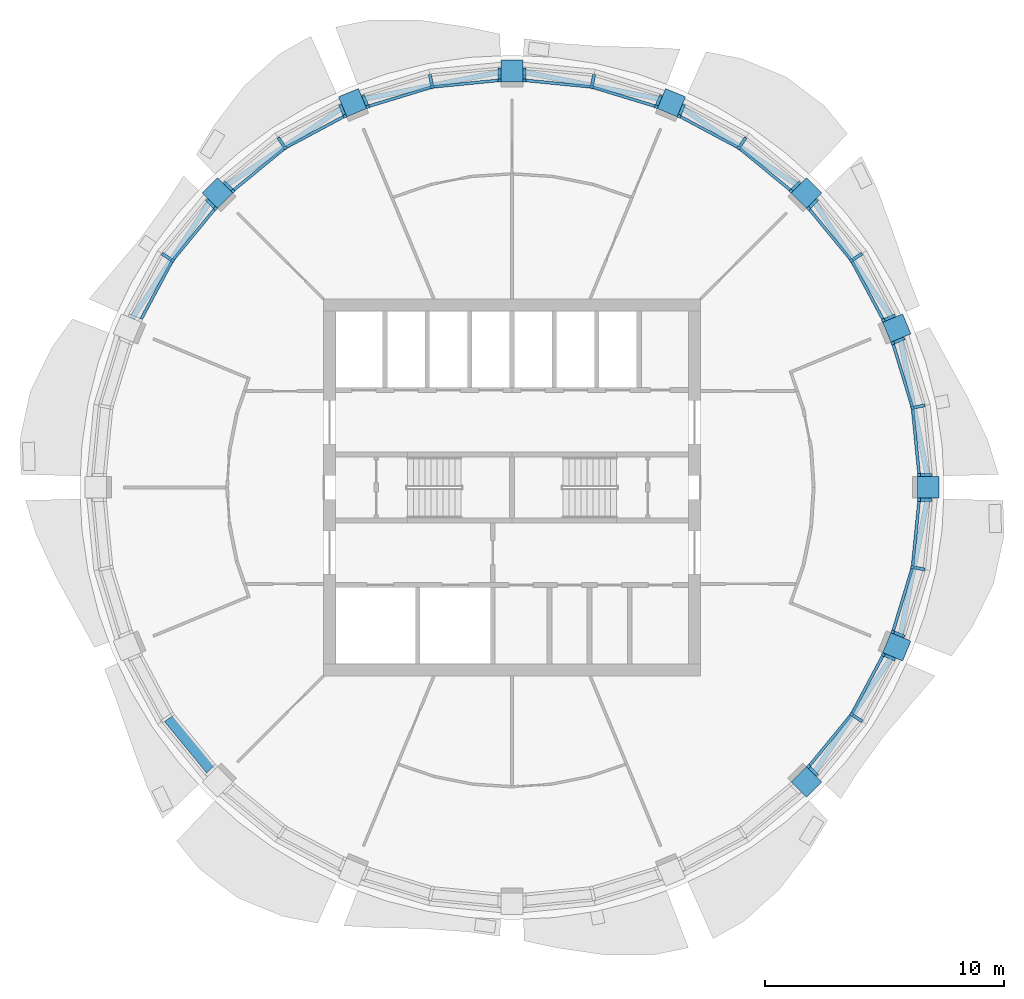
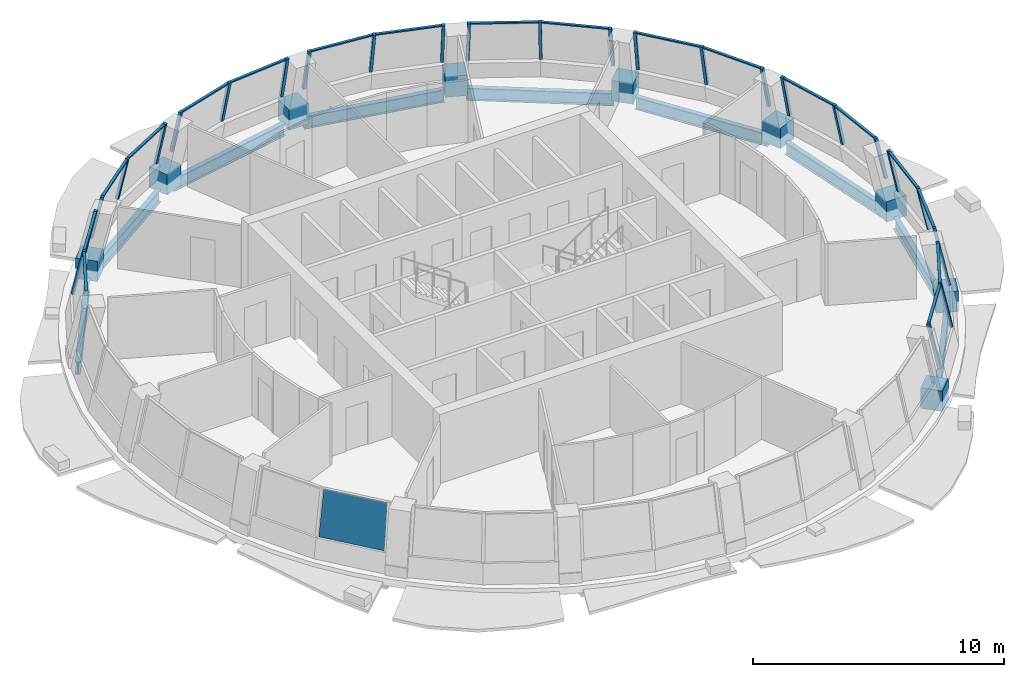
# One storey, part 2 of 11: 53 members, 9 beams, 1 plate, 10 elements without a shape of their own.
"""IFC4 building model written with IfcOpenShell, lengths in metres."""

from ifc_helpers import new_model, si_unit, direction, frame, origin, origin_2d, place, context, subcontext, project, spatial, polyline, rectangle, i_section, outline, extrude, material, layer, layer_set, material_profile, profile_set, type_object, element, aggregate, save


model = new_model("IFC4")

# Units and contexts
model_context = context("Model", 3, precision=1e-05, world=origin(), true_north=direction((0.0, 1.0)))
body_context = subcontext(model_context, "Body", "Model", "MODEL_VIEW")
ifc_project = project(units=[si_unit("LENGTHUNIT", "METRE"), si_unit("AREAUNIT", "SQUARE_METRE"), si_unit("VOLUMEUNIT", "CUBIC_METRE"), si_unit("PLANEANGLEUNIT", "RADIAN"), si_unit("MASSUNIT", "GRAM", prefix="KILO")], contexts=[model_context])

# Site, building, storey
site_placement = place(None, origin())
site = spatial("IfcSite", under=ifc_project, at=site_placement, CompositionType="ELEMENT")
building_placement = place(site_placement, origin())
building = spatial("IfcBuilding", under=site, at=building_placement, Name="Polderwave Tower", CompositionType="ELEMENT")
storey_placement = place(building_placement, frame((0.0, 0.0, 194.35009765625)))
storey = spatial("IfcBuildingStorey", under=building, at=storey_placement, Name="L52", CompositionType="ELEMENT", Elevation=194.35009765625)

# Curtain wall, members
ifc_material_1 = material(Name="Aluminium 6063-T6 and glass", Category="aluminium")
curtain_wall_type = type_object("IfcCurtainWallType", Name="Office ribbon glazing, leaning storey wall", PredefinedType="NOTDEFINED", material=ifc_material_1)
curtain_wall_1_placement = place(storey_placement, origin())
curtain_wall_1 = element("IfcCurtainWall", 1, at=curtain_wall_1_placement, inside=storey, type_object=curtain_wall_type, Name="CW9 L52 00", PredefinedType="NOTDEFINED")
ifc_material_2 = material(Name="Aluminium 6063-T6", Category="aluminium")
ifc_material_profile_1 = material_profile(ifc_material_2, rectangle(XDim=0.1298828125, YDim=0.139892578125, at=origin_2d()), Name="AL 130x140")
ifc_profile_set_1 = profile_set([ifc_material_profile_1], Name="Aluminium 6063-T6")
member_type_1 = type_object("IfcMemberType", Name="Office ribbon glazing, leaning storey mullion 130x140", PredefinedType="MULLION", material=ifc_profile_set_1)
member_1_placement = place(storey_placement, frame((17.4580078125, 0.5146484375, 0.89990234375), z_axis=(-0.213297172308, 0.0, 0.976987367516), x_axis=(0.0, -1.0, 0.0)))
member_1 = element("IfcMember", 2, at=member_1_placement, type_object=member_type_1, Name="CW9 mullion 1", PredefinedType="MULLION", context=body_context, shape_type="SweptSolid", body=[
    extrude(rectangle(XDim=0.1298828125, YDim=0.139892578125, at=origin_2d()), origin(), (0.0, 0.0, 1.0), 2.149658203125),
])
member_2_placement = place(storey_placement, frame((17.172119140625, 3.41552734375, 0.89990234375), z_axis=(-0.20942456595, -0.04168048574, 0.976936071749), x_axis=(0.195195508177, -0.980764351711, 0.0)))
member_2 = element("IfcMember", 3, at=member_2_placement, type_object=member_type_1, Name="CW9 mullion 2", PredefinedType="MULLION", context=body_context, shape_type="SweptSolid", body=[
    extrude(rectangle(XDim=0.1298828125, YDim=0.139892578125, at=origin_2d()), origin(), (0.0, 0.0, 1.0), 2.149658203125),
])
member_3_placement = place(storey_placement, frame((16.325439453125, 6.20556640625, 0.89990234375), z_axis=(-0.197053481596, -0.081774355475, 0.97697639694), x_axis=(0.383291989612, -0.923627224967, 0.0)))
member_3 = element("IfcMember", 4, at=member_3_placement, type_object=member_type_1, Name="CW9 mullion 3", PredefinedType="MULLION", context=body_context, shape_type="SweptSolid", body=[
    extrude(rectangle(XDim=0.1298828125, YDim=0.139892578125, at=origin_2d()), origin(), (0.0, 0.0, 1.0), 2.149658203125),
])

curtain_wall_2_placement = place(storey_placement, origin())
curtain_wall_2 = element("IfcCurtainWall", 5, at=curtain_wall_2_placement, inside=storey, type_object=curtain_wall_type, Name="CW9 L52 01", PredefinedType="NOTDEFINED")
member_4_placement = place(storey_placement, frame((15.931884765625, 7.15625, 0.89990234375), z_axis=(-0.197058960826, -0.081435893321, 0.977003562551), x_axis=(0.381928316135, -0.924191950481, 0.0)))
member_4 = element("IfcMember", 6, at=member_4_placement, type_object=member_type_1, Name="CW9 mullion 1", PredefinedType="MULLION", context=body_context, shape_type="SweptSolid", body=[
    extrude(rectangle(XDim=0.1298828125, YDim=0.139892578125, at=origin_2d()), origin(), (0.0, 0.0, 1.0), 2.1494140625),
])
member_5_placement = place(storey_placement, frame((14.557861328125, 9.726806640625, 0.89990234375), z_axis=(-0.177183585901, -0.118576707487, 0.977008465331), x_axis=(0.556174588481, -0.83106547704, 0.0)))
member_5 = element("IfcMember", 7, at=member_5_placement, type_object=member_type_1, Name="CW9 mullion 2", PredefinedType="MULLION", context=body_context, shape_type="SweptSolid", body=[
    extrude(rectangle(XDim=0.1298828125, YDim=0.139892578125, at=origin_2d()), origin(), (0.0, 0.0, 1.0), 2.1494140625),
])
member_6_placement = place(storey_placement, frame((12.708251953125, 11.98095703125, 0.89990234375), z_axis=(-0.150718677446, -0.150832255952, 0.97700230851), x_axis=(0.707373061249, -0.706840400811, 0.0)))
member_6 = element("IfcMember", 8, at=member_6_placement, type_object=member_type_1, Name="CW9 mullion 3", PredefinedType="MULLION", context=body_context, shape_type="SweptSolid", body=[
    extrude(rectangle(XDim=0.1298828125, YDim=0.139892578125, at=origin_2d()), origin(), (0.0, 0.0, 1.0), 2.1494140625),
])

curtain_wall_3_placement = place(storey_placement, origin())
curtain_wall_3 = element("IfcCurtainWall", 9, at=curtain_wall_3_placement, inside=storey, type_object=curtain_wall_type, Name="CW9 L52 02", PredefinedType="NOTDEFINED")
member_7_placement = place(storey_placement, frame((11.98095703125, 12.708251953125, 0.89990234375), z_axis=(-0.150832255952, -0.150718677446, 0.97700230851), x_axis=(0.706840400811, -0.707373061249, 0.0)))
member_7 = element("IfcMember", 10, at=member_7_placement, type_object=member_type_1, Name="CW9 mullion 1", PredefinedType="MULLION", context=body_context, shape_type="SweptSolid", body=[
    extrude(rectangle(XDim=0.1298828125, YDim=0.139892578125, at=origin_2d()), origin(), (0.0, 0.0, 1.0), 2.1494140625),
])
member_8_placement = place(storey_placement, frame((9.726806640625, 14.557861328125, 0.89990234375), z_axis=(-0.118576707487, -0.177183585901, 0.977008465331), x_axis=(0.83106547704, -0.556174588481, 0.0)))
member_8 = element("IfcMember", 11, at=member_8_placement, type_object=member_type_1, Name="CW9 mullion 2", PredefinedType="MULLION", context=body_context, shape_type="SweptSolid", body=[
    extrude(rectangle(XDim=0.1298828125, YDim=0.139892578125, at=origin_2d()), origin(), (0.0, 0.0, 1.0), 2.1494140625),
])
member_9_placement = place(storey_placement, frame((7.15625, 15.931884765625, 0.89990234375), z_axis=(-0.081435893321, -0.197058960826, 0.977003562551), x_axis=(0.924191950481, -0.381928316135, 0.0)))
member_9 = element("IfcMember", 12, at=member_9_placement, type_object=member_type_1, Name="CW9 mullion 3", PredefinedType="MULLION", context=body_context, shape_type="SweptSolid", body=[
    extrude(rectangle(XDim=0.1298828125, YDim=0.139892578125, at=origin_2d()), origin(), (0.0, 0.0, 1.0), 2.1494140625),
])

curtain_wall_4_placement = place(storey_placement, origin())
curtain_wall_4 = element("IfcCurtainWall", 13, at=curtain_wall_4_placement, inside=storey, type_object=curtain_wall_type, Name="CW9 L52 03", PredefinedType="NOTDEFINED")
member_10_placement = place(storey_placement, frame((6.20556640625, 16.325439453125, 0.89990234375), z_axis=(-0.081774355475, -0.197053481596, 0.97697639694), x_axis=(0.923627224967, -0.383291989612, 0.0)))
member_10 = element("IfcMember", 14, at=member_10_placement, type_object=member_type_1, Name="CW9 mullion 1", PredefinedType="MULLION", context=body_context, shape_type="SweptSolid", body=[
    extrude(rectangle(XDim=0.1298828125, YDim=0.139892578125, at=origin_2d()), origin(), (0.0, 0.0, 1.0), 2.149658203125),
])
member_11_placement = place(storey_placement, frame((3.41552734375, 17.172119140625, 0.89990234375), z_axis=(-0.04168048574, -0.20942456595, 0.976936071749), x_axis=(0.980764351711, -0.195195508177, 0.0)))
member_11 = element("IfcMember", 15, at=member_11_placement, type_object=member_type_1, Name="CW9 mullion 2", PredefinedType="MULLION", context=body_context, shape_type="SweptSolid", body=[
    extrude(rectangle(XDim=0.1298828125, YDim=0.139892578125, at=origin_2d()), origin(), (0.0, 0.0, 1.0), 2.149658203125),
])
member_12_placement = place(storey_placement, frame((0.5146484375, 17.4580078125, 0.89990234375), z_axis=(0.0, -0.213297172308, 0.976987367516), x_axis=(1.0, 0.0, 0.0)))
member_12 = element("IfcMember", 16, at=member_12_placement, type_object=member_type_1, Name="CW9 mullion 3", PredefinedType="MULLION", context=body_context, shape_type="SweptSolid", body=[
    extrude(rectangle(XDim=0.1298828125, YDim=0.139892578125, at=origin_2d()), origin(), (0.0, 0.0, 1.0), 2.149658203125),
])

curtain_wall_5_placement = place(storey_placement, origin())
curtain_wall_5 = element("IfcCurtainWall", 17, at=curtain_wall_5_placement, inside=storey, type_object=curtain_wall_type, Name="CW9 L52 04", PredefinedType="NOTDEFINED")
member_13_placement = place(storey_placement, frame((-0.5146484375, 17.4580078125, 0.89990234375), z_axis=(0.0, -0.213297172308, 0.976987367516), x_axis=(1.0, 0.0, 0.0)))
member_13 = element("IfcMember", 18, at=member_13_placement, type_object=member_type_1, Name="CW9 mullion 1", PredefinedType="MULLION", context=body_context, shape_type="SweptSolid", body=[
    extrude(rectangle(XDim=0.1298828125, YDim=0.139892578125, at=origin_2d()), origin(), (0.0, 0.0, 1.0), 2.149658203125),
])
member_14_placement = place(storey_placement, frame((-3.41552734375, 17.172119140625, 0.89990234375), z_axis=(0.04168048574, -0.20942456595, 0.976936071749), x_axis=(0.980764351711, 0.195195508177, 0.0)))
member_14 = element("IfcMember", 19, at=member_14_placement, type_object=member_type_1, Name="CW9 mullion 2", PredefinedType="MULLION", context=body_context, shape_type="SweptSolid", body=[
    extrude(rectangle(XDim=0.1298828125, YDim=0.139892578125, at=origin_2d()), origin(), (0.0, 0.0, 1.0), 2.149658203125),
])
member_15_placement = place(storey_placement, frame((-6.20556640625, 16.325439453125, 0.89990234375), z_axis=(0.081774355475, -0.197053481596, 0.97697639694), x_axis=(0.923627224967, 0.383291989612, 0.0)))
member_15 = element("IfcMember", 20, at=member_15_placement, type_object=member_type_1, Name="CW9 mullion 3", PredefinedType="MULLION", context=body_context, shape_type="SweptSolid", body=[
    extrude(rectangle(XDim=0.1298828125, YDim=0.139892578125, at=origin_2d()), origin(), (0.0, 0.0, 1.0), 2.149658203125),
])

curtain_wall_6_placement = place(storey_placement, origin())
curtain_wall_6 = element("IfcCurtainWall", 21, at=curtain_wall_6_placement, inside=storey, type_object=curtain_wall_type, Name="CW9 L52 05", PredefinedType="NOTDEFINED")
member_16_placement = place(storey_placement, frame((-7.15625, 15.931884765625, 0.89990234375), z_axis=(0.081435893321, -0.197058960826, 0.977003562551), x_axis=(0.924191950481, 0.381928316135, 0.0)))
member_16 = element("IfcMember", 22, at=member_16_placement, type_object=member_type_1, Name="CW9 mullion 1", PredefinedType="MULLION", context=body_context, shape_type="SweptSolid", body=[
    extrude(rectangle(XDim=0.1298828125, YDim=0.139892578125, at=origin_2d()), origin(), (0.0, 0.0, 1.0), 2.1494140625),
])
member_17_placement = place(storey_placement, frame((-9.726806640625, 14.557861328125, 0.89990234375), z_axis=(0.118576707487, -0.177183585901, 0.977008465331), x_axis=(0.83106547704, 0.556174588481, 0.0)))
member_17 = element("IfcMember", 23, at=member_17_placement, type_object=member_type_1, Name="CW9 mullion 2", PredefinedType="MULLION", context=body_context, shape_type="SweptSolid", body=[
    extrude(rectangle(XDim=0.1298828125, YDim=0.139892578125, at=origin_2d()), origin(), (0.0, 0.0, 1.0), 2.1494140625),
])
member_18_placement = place(storey_placement, frame((-11.98095703125, 12.708251953125, 0.89990234375), z_axis=(0.150832255952, -0.150718677446, 0.97700230851), x_axis=(0.706840400811, 0.707373061249, 0.0)))
member_18 = element("IfcMember", 24, at=member_18_placement, type_object=member_type_1, Name="CW9 mullion 3", PredefinedType="MULLION", context=body_context, shape_type="SweptSolid", body=[
    extrude(rectangle(XDim=0.1298828125, YDim=0.139892578125, at=origin_2d()), origin(), (0.0, 0.0, 1.0), 2.1494140625),
])

curtain_wall_7_placement = place(storey_placement, origin())
curtain_wall_7 = element("IfcCurtainWall", 25, at=curtain_wall_7_placement, inside=storey, type_object=curtain_wall_type, Name="CW9 L52 06", PredefinedType="NOTDEFINED")
member_19_placement = place(storey_placement, frame((-12.708251953125, 11.98095703125, 0.89990234375), z_axis=(0.150718677446, -0.150832255952, 0.97700230851), x_axis=(0.707373061249, 0.706840400811, 0.0)))
member_19 = element("IfcMember", 26, at=member_19_placement, type_object=member_type_1, Name="CW9 mullion 1", PredefinedType="MULLION", context=body_context, shape_type="SweptSolid", body=[
    extrude(rectangle(XDim=0.1298828125, YDim=0.139892578125, at=origin_2d()), origin(), (0.0, 0.0, 1.0), 2.1494140625),
])
member_20_placement = place(storey_placement, frame((-14.557861328125, 9.726806640625, 0.89990234375), z_axis=(0.177183585901, -0.118576707487, 0.977008465331), x_axis=(0.556174588481, 0.83106547704, 0.0)))
member_20 = element("IfcMember", 27, at=member_20_placement, type_object=member_type_1, Name="CW9 mullion 2", PredefinedType="MULLION", context=body_context, shape_type="SweptSolid", body=[
    extrude(rectangle(XDim=0.1298828125, YDim=0.139892578125, at=origin_2d()), origin(), (0.0, 0.0, 1.0), 2.1494140625),
])

curtain_wall_8_placement = place(storey_placement, origin())
curtain_wall_8 = element("IfcCurtainWall", 28, at=curtain_wall_8_placement, inside=storey, type_object=curtain_wall_type, Name="CW9 L52 14", PredefinedType="NOTDEFINED")
member_21_placement = place(storey_placement, frame((12.708251953125, -11.98095703125, 0.89990234375), z_axis=(-0.150718677446, 0.150832255952, 0.97700230851), x_axis=(-0.707373061249, -0.706840400811, 0.0)))
member_21 = element("IfcMember", 29, at=member_21_placement, type_object=member_type_1, Name="CW9 mullion 1", PredefinedType="MULLION", context=body_context, shape_type="SweptSolid", body=[
    extrude(rectangle(XDim=0.1298828125, YDim=0.139892578125, at=origin_2d()), origin(), (0.0, 0.0, 1.0), 2.1494140625),
])
member_22_placement = place(storey_placement, frame((14.557861328125, -9.726806640625, 0.89990234375), z_axis=(-0.177183585901, 0.118576707487, 0.977008465331), x_axis=(-0.556174588481, -0.83106547704, 0.0)))
member_22 = element("IfcMember", 30, at=member_22_placement, type_object=member_type_1, Name="CW9 mullion 2", PredefinedType="MULLION", context=body_context, shape_type="SweptSolid", body=[
    extrude(rectangle(XDim=0.1298828125, YDim=0.139892578125, at=origin_2d()), origin(), (0.0, 0.0, 1.0), 2.1494140625),
])
member_23_placement = place(storey_placement, frame((15.931884765625, -7.15625, 0.89990234375), z_axis=(-0.197058960826, 0.081435893321, 0.977003562551), x_axis=(-0.381928316135, -0.924191950481, 0.0)))
member_23 = element("IfcMember", 31, at=member_23_placement, type_object=member_type_1, Name="CW9 mullion 3", PredefinedType="MULLION", context=body_context, shape_type="SweptSolid", body=[
    extrude(rectangle(XDim=0.1298828125, YDim=0.139892578125, at=origin_2d()), origin(), (0.0, 0.0, 1.0), 2.1494140625),
])

curtain_wall_9_placement = place(storey_placement, origin())
curtain_wall_9 = element("IfcCurtainWall", 32, at=curtain_wall_9_placement, inside=storey, type_object=curtain_wall_type, Name="CW9 L52 15", PredefinedType="NOTDEFINED")
member_24_placement = place(storey_placement, frame((16.325439453125, -6.20556640625, 0.89990234375), z_axis=(-0.197053481596, 0.081774355475, 0.97697639694), x_axis=(-0.383291989612, -0.923627224967, 0.0)))
member_24 = element("IfcMember", 33, at=member_24_placement, type_object=member_type_1, Name="CW9 mullion 1", PredefinedType="MULLION", context=body_context, shape_type="SweptSolid", body=[
    extrude(rectangle(XDim=0.1298828125, YDim=0.139892578125, at=origin_2d()), origin(), (0.0, 0.0, 1.0), 2.149658203125),
])
member_25_placement = place(storey_placement, frame((17.172119140625, -3.41552734375, 0.89990234375), z_axis=(-0.20942456595, 0.04168048574, 0.976936071749), x_axis=(-0.195195508177, -0.980764351711, 0.0)))
member_25 = element("IfcMember", 34, at=member_25_placement, type_object=member_type_1, Name="CW9 mullion 2", PredefinedType="MULLION", context=body_context, shape_type="SweptSolid", body=[
    extrude(rectangle(XDim=0.1298828125, YDim=0.139892578125, at=origin_2d()), origin(), (0.0, 0.0, 1.0), 2.149658203125),
])
member_26_placement = place(storey_placement, frame((17.4580078125, -0.5146484375, 0.89990234375), z_axis=(-0.213297172308, 0.0, 0.976987367516), x_axis=(0.0, -1.0, 0.0)))
member_26 = element("IfcMember", 35, at=member_26_placement, type_object=member_type_1, Name="CW9 mullion 3", PredefinedType="MULLION", context=body_context, shape_type="SweptSolid", body=[
    extrude(rectangle(XDim=0.1298828125, YDim=0.139892578125, at=origin_2d()), origin(), (0.0, 0.0, 1.0), 2.149658203125),
])

# Member
ifc_material_profile_2 = material_profile(ifc_material_2, rectangle(XDim=0.1201171875, YDim=0.06005859375, at=origin_2d()), Name="AL 60x120")
ifc_profile_set_2 = profile_set([ifc_material_profile_2], Name="Aluminium 6063-T6")
member_type_2 = type_object("IfcMemberType", Name="Office ribbon glazing, leaning storey transom 60x120", PredefinedType="USERDEFINED", material=ifc_profile_set_2)
member_27_placement = place(storey_placement, frame((16.999755859375, 0.579345703125, 2.969970703125), z_axis=(-0.098239616656, 0.995162789557, 0.0), x_axis=(-0.995162789557, -0.098239616656, 0.0)))
member_27 = element("IfcMember", 36, at=member_27_placement, type_object=member_type_2, Name="CW9 transom 1", ObjectType="TRANSOM", PredefinedType="USERDEFINED", context=body_context, shape_type="SweptSolid", body=[
    extrude(rectangle(XDim=0.1201171875, YDim=0.06005859375, at=origin_2d()), origin(), (0.0, 0.0, 1.0), 2.6962890625),
])

member_28_placement = place(storey_placement, frame((16.709716796875, 3.389404296875, 2.969970703125), z_axis=(-0.290311386939, 0.956932233031, 0.0), x_axis=(-0.956932233031, -0.290311386939, 0.0)))
member_28 = element("IfcMember", 37, at=member_28_placement, type_object=member_type_2, Name="CW9 transom 2", ObjectType="TRANSOM", PredefinedType="USERDEFINED", context=body_context, shape_type="SweptSolid", body=[
    extrude(rectangle(XDim=0.1201171875, YDim=0.06005859375, at=origin_2d()), origin(), (0.0, 0.0, 1.0), 2.697021484375),
])

aggregate(curtain_wall_1, [member_1, member_2, member_3, member_27, member_28])

member_29_placement = place(storey_placement, frame((15.48388671875, 7.041015625, 2.969970703125), z_axis=(-0.471429498717, 0.88190375197, 0.0), x_axis=(-0.88190375197, -0.471429498717, 0.0)))
member_29 = element("IfcMember", 38, at=member_29_placement, type_object=member_type_2, Name="CW9 transom 1", ObjectType="TRANSOM", PredefinedType="USERDEFINED", context=body_context, shape_type="SweptSolid", body=[
    extrude(rectangle(XDim=0.1201171875, YDim=0.06005859375, at=origin_2d()), origin(), (0.0, 0.0, 1.0), 2.695556640625),
])

member_30_placement = place(storey_placement, frame((14.14111328125, 9.52587890625, 2.969970703125), z_axis=(-0.634316611678, 0.773073370483, 0.0), x_axis=(-0.773073370483, -0.634316611678, 0.0)))
member_30 = element("IfcMember", 39, at=member_30_placement, type_object=member_type_2, Name="CW9 transom 2", ObjectType="TRANSOM", PredefinedType="USERDEFINED", context=body_context, shape_type="SweptSolid", body=[
    extrude(rectangle(XDim=0.1201171875, YDim=0.06005859375, at=origin_2d()), origin(), (0.0, 0.0, 1.0), 2.697265625),
])

aggregate(curtain_wall_2, [member_4, member_5, member_6, member_29, member_30])

member_31_placement = place(storey_placement, frame((11.611083984375, 12.43017578125, 2.969970703125), z_axis=(-0.773073370483, 0.634316611678, 0.0), x_axis=(-0.634316611678, -0.773073370483, 0.0)))
member_31 = element("IfcMember", 40, at=member_31_placement, type_object=member_type_2, Name="CW9 transom 1", ObjectType="TRANSOM", PredefinedType="USERDEFINED", context=body_context, shape_type="SweptSolid", body=[
    extrude(rectangle(XDim=0.1201171875, YDim=0.06005859375, at=origin_2d()), origin(), (0.0, 0.0, 1.0), 2.697265625),
])

member_32_placement = place(storey_placement, frame((9.418212890625, 14.213134765625, 2.969970703125), z_axis=(-0.88190375197, 0.471429498717, 0.0), x_axis=(-0.471429498717, -0.88190375197, 0.0)))
member_32 = element("IfcMember", 41, at=member_32_placement, type_object=member_type_2, Name="CW9 transom 2", ObjectType="TRANSOM", PredefinedType="USERDEFINED", context=body_context, shape_type="SweptSolid", body=[
    extrude(rectangle(XDim=0.1201171875, YDim=0.06005859375, at=origin_2d()), origin(), (0.0, 0.0, 1.0), 2.695556640625),
])

aggregate(curtain_wall_3, [member_7, member_8, member_9, member_31, member_32])

member_33_placement = place(storey_placement, frame((5.97021484375, 15.9267578125, 2.969970703125), z_axis=(-0.956932233031, 0.290311386939, 0.0), x_axis=(-0.290311386939, -0.956932233031, 0.0)))
member_33 = element("IfcMember", 42, at=member_33_placement, type_object=member_type_2, Name="CW9 transom 1", ObjectType="TRANSOM", PredefinedType="USERDEFINED", context=body_context, shape_type="SweptSolid", body=[
    extrude(rectangle(XDim=0.1201171875, YDim=0.06005859375, at=origin_2d()), origin(), (0.0, 0.0, 1.0), 2.697021484375),
])

member_34_placement = place(storey_placement, frame((3.2626953125, 16.73486328125, 2.969970703125), z_axis=(-0.995162789557, 0.098239616656, 0.0), x_axis=(-0.098239616656, -0.995162789557, 0.0)))
member_34 = element("IfcMember", 43, at=member_34_placement, type_object=member_type_2, Name="CW9 transom 2", ObjectType="TRANSOM", PredefinedType="USERDEFINED", context=body_context, shape_type="SweptSolid", body=[
    extrude(rectangle(XDim=0.1201171875, YDim=0.06005859375, at=origin_2d()), origin(), (0.0, 0.0, 1.0), 2.6962890625),
])

aggregate(curtain_wall_4, [member_10, member_11, member_12, member_33, member_34])

member_35_placement = place(storey_placement, frame((-0.579345703125, 16.999755859375, 2.969970703125), z_axis=(-0.995162789557, -0.098239616656, 0.0), x_axis=(0.098239616656, -0.995162789557, 0.0)))
member_35 = element("IfcMember", 44, at=member_35_placement, type_object=member_type_2, Name="CW9 transom 1", ObjectType="TRANSOM", PredefinedType="USERDEFINED", context=body_context, shape_type="SweptSolid", body=[
    extrude(rectangle(XDim=0.1201171875, YDim=0.06005859375, at=origin_2d()), origin(), (0.0, 0.0, 1.0), 2.6962890625),
])

member_36_placement = place(storey_placement, frame((-3.389404296875, 16.709716796875, 2.969970703125), z_axis=(-0.956932233031, -0.290311386939, 0.0), x_axis=(0.290311386939, -0.956932233031, 0.0)))
member_36 = element("IfcMember", 45, at=member_36_placement, type_object=member_type_2, Name="CW9 transom 2", ObjectType="TRANSOM", PredefinedType="USERDEFINED", context=body_context, shape_type="SweptSolid", body=[
    extrude(rectangle(XDim=0.1201171875, YDim=0.06005859375, at=origin_2d()), origin(), (0.0, 0.0, 1.0), 2.697021484375),
])

aggregate(curtain_wall_5, [member_13, member_14, member_15, member_35, member_36])

member_37_placement = place(storey_placement, frame((-7.041015625, 15.48388671875, 2.969970703125), z_axis=(-0.88190375197, -0.471429498717, 0.0), x_axis=(0.471429498717, -0.88190375197, 0.0)))
member_37 = element("IfcMember", 46, at=member_37_placement, type_object=member_type_2, Name="CW9 transom 1", ObjectType="TRANSOM", PredefinedType="USERDEFINED", context=body_context, shape_type="SweptSolid", body=[
    extrude(rectangle(XDim=0.1201171875, YDim=0.06005859375, at=origin_2d()), origin(), (0.0, 0.0, 1.0), 2.695556640625),
])

member_38_placement = place(storey_placement, frame((-9.52587890625, 14.14111328125, 2.969970703125), z_axis=(-0.773073370483, -0.634316611678, 0.0), x_axis=(0.634316611678, -0.773073370483, 0.0)))
member_38 = element("IfcMember", 47, at=member_38_placement, type_object=member_type_2, Name="CW9 transom 2", ObjectType="TRANSOM", PredefinedType="USERDEFINED", context=body_context, shape_type="SweptSolid", body=[
    extrude(rectangle(XDim=0.1201171875, YDim=0.06005859375, at=origin_2d()), origin(), (0.0, 0.0, 1.0), 2.697265625),
])

aggregate(curtain_wall_6, [member_16, member_17, member_18, member_37, member_38])

member_39_placement = place(storey_placement, frame((-12.43017578125, 11.611083984375, 2.969970703125), z_axis=(-0.634316611678, -0.773073370483, 0.0), x_axis=(0.773073370483, -0.634316611678, 0.0)))
member_39 = element("IfcMember", 48, at=member_39_placement, type_object=member_type_2, Name="CW9 transom 1", ObjectType="TRANSOM", PredefinedType="USERDEFINED", context=body_context, shape_type="SweptSolid", body=[
    extrude(rectangle(XDim=0.1201171875, YDim=0.06005859375, at=origin_2d()), origin(), (0.0, 0.0, 1.0), 2.697265625),
])

member_40_placement = place(storey_placement, frame((-14.213134765625, 9.418212890625, 2.969970703125), z_axis=(-0.471429498717, -0.88190375197, 0.0), x_axis=(0.88190375197, -0.471429498717, 0.0)))
member_40 = element("IfcMember", 49, at=member_40_placement, type_object=member_type_2, Name="CW9 transom 2", ObjectType="TRANSOM", PredefinedType="USERDEFINED", context=body_context, shape_type="SweptSolid", body=[
    extrude(rectangle(XDim=0.1201171875, YDim=0.06005859375, at=origin_2d()), origin(), (0.0, 0.0, 1.0), 2.695556640625),
])

aggregate(curtain_wall_7, [member_19, member_20, member_39, member_40])

member_41_placement = place(storey_placement, frame((12.43017578125, -11.611083984375, 2.969970703125), z_axis=(0.634316611678, 0.773073370483, 0.0), x_axis=(-0.773073370483, 0.634316611678, 0.0)))
member_41 = element("IfcMember", 50, at=member_41_placement, type_object=member_type_2, Name="CW9 transom 1", ObjectType="TRANSOM", PredefinedType="USERDEFINED", context=body_context, shape_type="SweptSolid", body=[
    extrude(rectangle(XDim=0.1201171875, YDim=0.06005859375, at=origin_2d()), origin(), (0.0, 0.0, 1.0), 2.697265625),
])

member_42_placement = place(storey_placement, frame((14.213134765625, -9.418212890625, 2.969970703125), z_axis=(0.471429498717, 0.88190375197, 0.0), x_axis=(-0.88190375197, 0.471429498717, 0.0)))
member_42 = element("IfcMember", 51, at=member_42_placement, type_object=member_type_2, Name="CW9 transom 2", ObjectType="TRANSOM", PredefinedType="USERDEFINED", context=body_context, shape_type="SweptSolid", body=[
    extrude(rectangle(XDim=0.1201171875, YDim=0.06005859375, at=origin_2d()), origin(), (0.0, 0.0, 1.0), 2.695556640625),
])

aggregate(curtain_wall_8, [member_21, member_22, member_23, member_41, member_42])

member_43_placement = place(storey_placement, frame((15.9267578125, -5.97021484375, 2.969970703125), z_axis=(0.290311386939, 0.956932233031, 0.0), x_axis=(-0.956932233031, 0.290311386939, 0.0)))
member_43 = element("IfcMember", 52, at=member_43_placement, type_object=member_type_2, Name="CW9 transom 1", ObjectType="TRANSOM", PredefinedType="USERDEFINED", context=body_context, shape_type="SweptSolid", body=[
    extrude(rectangle(XDim=0.1201171875, YDim=0.06005859375, at=origin_2d()), origin(), (0.0, 0.0, 1.0), 2.697021484375),
])

member_44_placement = place(storey_placement, frame((16.73486328125, -3.2626953125, 2.969970703125), z_axis=(0.098239616656, 0.995162789557, 0.0), x_axis=(-0.995162789557, 0.098239616656, 0.0)))
member_44 = element("IfcMember", 53, at=member_44_placement, type_object=member_type_2, Name="CW9 transom 2", ObjectType="TRANSOM", PredefinedType="USERDEFINED", context=body_context, shape_type="SweptSolid", body=[
    extrude(rectangle(XDim=0.1201171875, YDim=0.06005859375, at=origin_2d()), origin(), (0.0, 0.0, 1.0), 2.6962890625),
])

aggregate(curtain_wall_9, [member_24, member_25, member_26, member_43, member_44])

# Members
ifc_material_3 = material(Name="Concrete C60/75", Category="concrete")
ifc_material_profile_3 = material_profile(ifc_material_3, rectangle(XDim=0.89990234375, YDim=0.89990234375, at=origin_2d()), Name="RC 900x900")
ifc_profile_set_3 = profile_set([ifc_material_profile_3], Name="Concrete C60/75")
member_type_3 = type_object("IfcMemberType", Name="RC NODE 900x900 C60/75", PredefinedType="POST", material=ifc_profile_set_3)
for number, where, z_axis, x_axis, name in (
    (54, (17.39404296875, 0.0, -0.5), (0.0, 0.0, 1.0), (1.0, 0.0, 0.0), "Ring column node 01"),
    (55, (16.070068359375, 6.656494140625, -0.5), (0.0, 0.0, 1.0), (0.923879532511, 0.382683432365, 0.0), "Ring column node 02"),
    (56, (12.299560546875, 12.299560546875, -0.5), (0.0, 0.0, 1.0), (0.707106781187, 0.707106781187, 0.0), "Ring column node 03"),
    (57, (6.656494140625, 16.070068359375, -0.5), (0.0, 0.0, 1.0), (0.382683432365, 0.923879532511, 0.0), "Ring column node 04"),
    (58, (0.0, 17.39404296875, -0.5), (0.0, 0.0, 1.0), (0.0, 1.0, 0.0), "Ring column node 05"),
    (59, (-6.656494140625, 16.070068359375, -0.5), (0.0, 0.0, 1.0), (-0.382683432365, 0.923879532511, 0.0), "Ring column node 06"),
    (60, (-12.299560546875, 12.299560546875, -0.5), (0.0, 0.0, 1.0), (-0.707106781187, 0.707106781187, 0.0), "Ring column node 07"),
    (61, (12.299560546875, -12.299560546875, -0.5), (0.0, 0.0, 1.0), (0.707106781187, -0.707106781187, 0.0), "Ring column node 15"),
    (62, (16.070068359375, -6.656494140625, -0.5), (0.0, 0.0, 1.0), (0.923879532511, -0.382683432365, 0.0), "Ring column node 16"),
):
    element("IfcMember", number, at=place(storey_placement, frame(where, z_axis=z_axis, x_axis=x_axis)), inside=storey, type_object=member_type_3, Name=name, PredefinedType="POST", context=body_context, shape_type="SweptSolid", body=[
        extrude(rectangle(XDim=0.89990234375, YDim=0.89990234375, at=origin_2d()), origin(), (0.0, 0.0, 1.0), 1.0),
    ])

# Beams
ifc_material_4 = material(Name="Steel S355", Category="steel")
ifc_material_profile_4 = material_profile(ifc_material_4, i_section(OverallWidth=0.219970703125, OverallDepth=0.60009765625, WebThickness=0.011962890625, FlangeThickness=0.01904296875, at=origin_2d()), Name="IPE 600")
ifc_profile_set_4 = profile_set([ifc_material_profile_4], Name="Steel S355")
beam_type = type_object("IfcBeamType", Name="RING BEAM IPE 600", PredefinedType="BEAM", material=ifc_profile_set_4)
beam_1_placement = place(storey_placement, frame((17.360595703125, 0.449951171875, -0.650146484375), z_axis=(-0.195111845788, 0.980780998813, 0.0), x_axis=(-0.980780998813, -0.195111845788, 0.0)))
element("IfcBeam", 63, at=beam_1_placement, inside=storey, type_object=beam_type, Name="ST-RB-L52-00", PredefinedType="BEAM", context=body_context, shape_type="SweptSolid", body=[
    extrude(i_section(OverallWidth=0.219970703125, OverallDepth=0.60009765625, WebThickness=0.011962890625, FlangeThickness=0.01904296875, at=origin_2d()), origin(), (0.0, 0.0, 1.0), 5.89111328125),
])
for number, where, z_axis, x_axis, name in (
    (64, (15.86669921875, 7.059326171875, -0.650146484375), (-0.555551093196, 0.831482400805, 0.0), (-0.831482400805, -0.555551093196, 0.0), "ST-RB-L52-01"),
    (65, (11.95751953125, 12.593994140625, -0.650146484375), (-0.831482400805, 0.555551093196, 0.0), (-0.555551093196, -0.831482400805, 0.0), "ST-RB-L52-02"),
):
    element("IfcBeam", number, at=place(storey_placement, frame(where, z_axis=z_axis, x_axis=x_axis)), inside=storey, type_object=beam_type, Name=name, PredefinedType="BEAM", context=body_context, shape_type="SweptSolid", body=[
        extrude(i_section(OverallWidth=0.219970703125, OverallDepth=0.60009765625, WebThickness=0.011962890625, FlangeThickness=0.01904296875, at=origin_2d()), origin(), (0.0, 0.0, 1.0), 5.890869140625),
    ])
for number, where, z_axis, x_axis, name in (
    (66, (6.227783203125, 16.211181640625, -0.650146484375), (-0.980780998813, 0.195111845788, 0.0), (-0.195111845788, -0.980780998813, 0.0), "ST-RB-L52-03"),
    (67, (-0.449951171875, 17.360595703125, -0.650146484375), (-0.980780998813, -0.195111845788, 0.0), (0.195111845788, -0.980780998813, 0.0), "ST-RB-L52-04"),
):
    element("IfcBeam", number, at=place(storey_placement, frame(where, z_axis=z_axis, x_axis=x_axis)), inside=storey, type_object=beam_type, Name=name, PredefinedType="BEAM", context=body_context, shape_type="SweptSolid", body=[
        extrude(i_section(OverallWidth=0.219970703125, OverallDepth=0.60009765625, WebThickness=0.011962890625, FlangeThickness=0.01904296875, at=origin_2d()), origin(), (0.0, 0.0, 1.0), 5.89111328125),
    ])
for number, where, z_axis, x_axis, name in (
    (68, (-7.059326171875, 15.86669921875, -0.650146484375), (-0.831482400805, -0.555551093196, 0.0), (0.555551093196, -0.831482400805, 0.0), "ST-RB-L52-05"),
    (69, (-12.593994140625, 11.95751953125, -0.650146484375), (-0.555551093196, -0.831482400805, 0.0), (0.831482400805, -0.555551093196, 0.0), "ST-RB-L52-06"),
    (70, (12.593994140625, -11.95751953125, -0.650146484375), (0.555551093196, 0.831482400805, 0.0), (-0.831482400805, 0.555551093196, 0.0), "ST-RB-L52-14"),
):
    element("IfcBeam", number, at=place(storey_placement, frame(where, z_axis=z_axis, x_axis=x_axis)), inside=storey, type_object=beam_type, Name=name, PredefinedType="BEAM", context=body_context, shape_type="SweptSolid", body=[
        extrude(i_section(OverallWidth=0.219970703125, OverallDepth=0.60009765625, WebThickness=0.011962890625, FlangeThickness=0.01904296875, at=origin_2d()), origin(), (0.0, 0.0, 1.0), 5.890869140625),
    ])
beam_2_placement = place(storey_placement, frame((16.211181640625, -6.227783203125, -0.650146484375), z_axis=(0.195111845788, 0.980780998813, 0.0), x_axis=(-0.980780998813, 0.195111845788, 0.0)))
element("IfcBeam", 71, at=beam_2_placement, inside=storey, type_object=beam_type, Name="ST-RB-L52-15", PredefinedType="BEAM", context=body_context, shape_type="SweptSolid", body=[
    extrude(i_section(OverallWidth=0.219970703125, OverallDepth=0.60009765625, WebThickness=0.011962890625, FlangeThickness=0.01904296875, at=origin_2d()), origin(), (0.0, 0.0, 1.0), 5.89111328125),
])

# Curtain wall, plate
curtain_wall_10_placement = place(storey_placement, origin())
curtain_wall_10 = element("IfcCurtainWall", 72, at=curtain_wall_10_placement, inside=storey, type_object=curtain_wall_type, Name="CW9 L52 09", PredefinedType="NOTDEFINED")
ifc_material_5 = material(Name="Glass, low-e laminated double glazing", Category="glass")
ifc_layer = layer(ifc_material_5, 0.031982421875)
ifc_layer_set = layer_set([ifc_layer], Name="Office ribbon glazing, leaning storey glass panel 32 mm")
plate_type = type_object("IfcPlateType", Name="Office ribbon glazing, leaning storey glass panel 32 mm", PredefinedType="CURTAIN_PANEL", material=ifc_layer_set)
plate_placement = place(storey_placement, frame((-14.5166015625, -9.777099609375, 0.89990234375), z_axis=(-0.755458717073, -0.619862447287, 0.212256150068), x_axis=(0.634316565283, -0.773073408541, 3.786352e-06)))
plate = element("IfcPlate", 73, at=plate_placement, type_object=plate_type, Name="CW9 panel 2", PredefinedType="CURTAIN_PANEL", context=body_context, shape_type="SweptSolid", body=[
    extrude(outline(polyline([(0.0, 0.0), (2.785757772524109, 0.0), (2.74191035904451, 2.0875965215410073), (0.04339822154885898, 2.0876177711078165), (0.0, 0.0)])), origin(), (0.0, 0.0, -1.0), 0.031982421875),
])
aggregate(curtain_wall_10, [plate])

save(model, "model.ifc")
